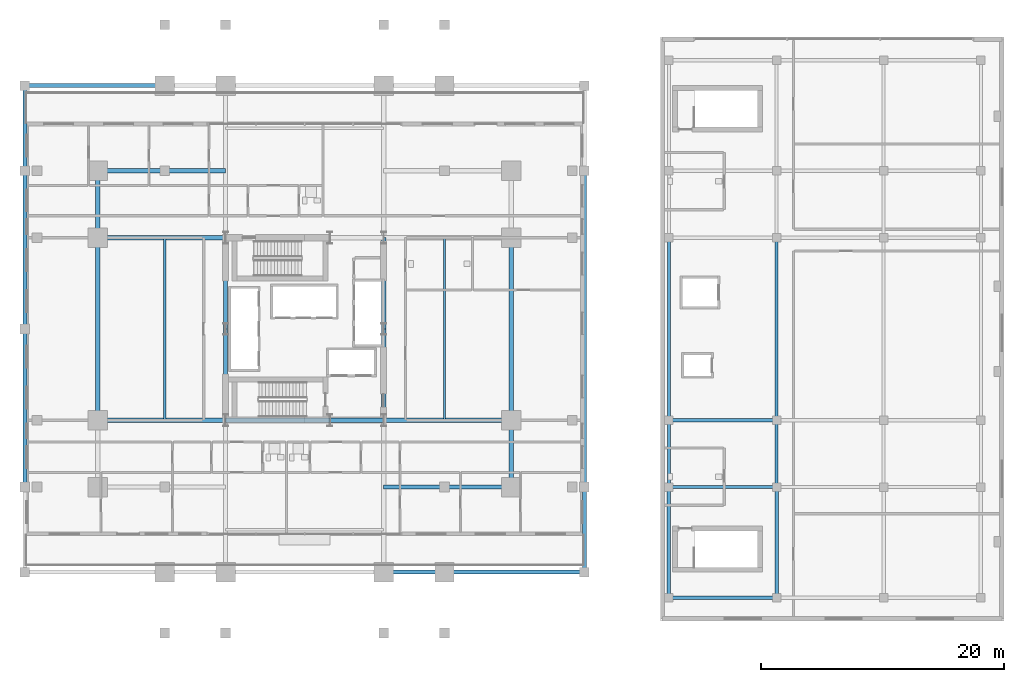
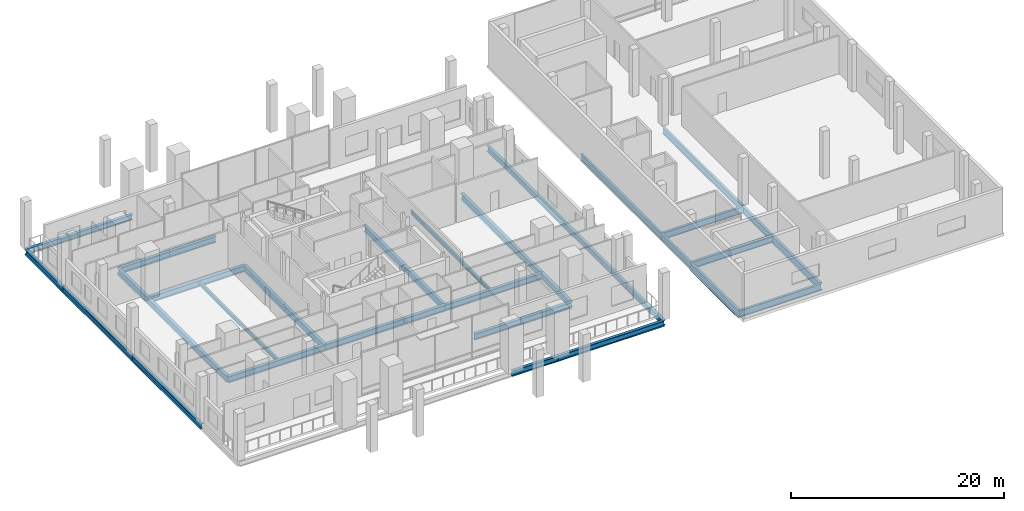
# One storey, part 7 of 25: 36 beams.
"""IFC4 building model written with IfcOpenShell, lengths in metres."""

from ifc_helpers import new_model, si_unit, direction, frame, origin, origin_2d, place, context, subcontext, project, spatial, i_section, extrude, material, material_profile, profile_set, type_object, element, save


model = new_model("IFC4")

# Units and contexts
model_context = context("Model", 3, precision=1e-05, world=origin(), true_north=direction((0.0, 1.0)))
body_context = subcontext(model_context, "Body", "Model", "MODEL_VIEW")
ifc_project = project(units=[si_unit("LENGTHUNIT", "METRE"), si_unit("AREAUNIT", "SQUARE_METRE"), si_unit("VOLUMEUNIT", "CUBIC_METRE"), si_unit("PLANEANGLEUNIT", "RADIAN"), si_unit("MASSUNIT", "GRAM", prefix="KILO")], contexts=[model_context])

# Site, building, storey
site_placement = place(None, origin())
site = spatial("IfcSite", under=ifc_project, at=site_placement, CompositionType="ELEMENT")
building_placement = place(site_placement, origin())
building = spatial("IfcBuilding", under=site, at=building_placement, Name="Barlavira Tower and Art Museum", CompositionType="ELEMENT")
storey_placement = place(building_placement, frame((0.0, 0.0, 22.199951171875)))
storey = spatial("IfcBuildingStorey", under=building, at=storey_placement, Name="L04", CompositionType="ELEMENT", Elevation=22.199951171875)

# Beams
ifc_material = material(Name="Steel S355", Category="steel")
ifc_material_profile_1 = material_profile(ifc_material, i_section(OverallWidth=0.2939453125, OverallDepth=0.85107421875, WebThickness=0.017333984375, FlangeThickness=0.0283203125, at=origin_2d()), Name="W840x251.0")
ifc_profile_set_1 = profile_set([ifc_material_profile_1], Name="Steel S355")
beam_type_1 = type_object("IfcBeamType", Name="Museum Auditorium Heavy Girder W840x251 Steel S355", PredefinedType="BEAM", material=ifc_profile_set_1)
for number, where, z_axis, x_axis, name in (
    (1, (29.949951171875, -22.10009765625, -0.745361328125), (0.0, 1.0, 0.0), (-1.0, 0.0, 0.0), "L04 Museum Girder Y 1-1"),
    (2, (38.800048828125, -22.10009765625, -0.745361328125), (0.0, 1.0, 0.0), (-1.0, 0.0, 0.0), "L04 Museum Girder Y 2-1"),
):
    element("IfcBeam", number, at=place(storey_placement, frame(where, z_axis=z_axis, x_axis=x_axis)), inside=storey, type_object=beam_type_1, Name=name, PredefinedType="BEAM", context=body_context, shape_type="SweptSolid", body=[
        extrude(i_section(OverallWidth=0.2939453125, OverallDepth=0.85107421875, WebThickness=0.017333984375, FlangeThickness=0.0283203125, at=origin_2d()), origin(), (0.0, 0.0, 1.0), 9.10009765625),
    ])
ifc_material_profile_2 = material_profile(ifc_material, i_section(OverallWidth=0.26904296875, OverallDepth=0.76806640625, WebThickness=0.016845703125, FlangeThickness=0.026611328125, at=origin_2d()), Name="W760x220.0")
ifc_profile_set_2 = profile_set([ifc_material_profile_2], Name="Steel S355")
beam_type_2 = type_object("IfcBeamType", Name="Museum Long-Span Gallery Girder W760x220 Steel S355", PredefinedType="BEAM", material=ifc_profile_set_2)
beam_1_placement = place(storey_placement, frame((29.949951171875, -13.0, -0.703857421875), z_axis=(0.0, 1.0, 0.0), x_axis=(-1.0, 0.0, 0.0)))
element("IfcBeam", 3, at=beam_1_placement, inside=storey, type_object=beam_type_2, Name="L04 Museum Girder Y 1-2", PredefinedType="BEAM", context=body_context, shape_type="SweptSolid", body=[
    extrude(i_section(OverallWidth=0.26904296875, OverallDepth=0.76806640625, WebThickness=0.016845703125, FlangeThickness=0.026611328125, at=origin_2d()), origin(), (0.0, 0.0, 1.0), 5.5),
])
beam_2_placement = place(storey_placement, frame((29.949951171875, -7.5, -0.703857421875), z_axis=(0.0, 1.0, 0.0), x_axis=(-1.0, 0.0, 0.0)))
element("IfcBeam", 4, at=beam_2_placement, inside=storey, type_object=beam_type_2, Name="L04 Museum Girder Y 1-3", PredefinedType="BEAM", context=body_context, shape_type="SweptSolid", body=[
    extrude(i_section(OverallWidth=0.26904296875, OverallDepth=0.76806640625, WebThickness=0.016845703125, FlangeThickness=0.026611328125, at=origin_2d()), origin(), (0.0, 0.0, 1.0), 15.0),
])
beam_3_placement = place(storey_placement, frame((38.800048828125, -13.0, -0.703857421875), z_axis=(0.0, 1.0, 0.0), x_axis=(-1.0, 0.0, 0.0)))
element("IfcBeam", 5, at=beam_3_placement, inside=storey, type_object=beam_type_2, Name="L04 Museum Girder Y 2-2", PredefinedType="BEAM", context=body_context, shape_type="SweptSolid", body=[
    extrude(i_section(OverallWidth=0.26904296875, OverallDepth=0.76806640625, WebThickness=0.016845703125, FlangeThickness=0.026611328125, at=origin_2d()), origin(), (0.0, 0.0, 1.0), 5.5),
])
beam_4_placement = place(storey_placement, frame((38.800048828125, -7.5, -0.703857421875), z_axis=(0.0, 1.0, 0.0), x_axis=(-1.0, 0.0, 0.0)))
element("IfcBeam", 6, at=beam_4_placement, inside=storey, type_object=beam_type_2, Name="L04 Museum Girder Y 2-3", PredefinedType="BEAM", context=body_context, shape_type="SweptSolid", body=[
    extrude(i_section(OverallWidth=0.26904296875, OverallDepth=0.76806640625, WebThickness=0.016845703125, FlangeThickness=0.026611328125, at=origin_2d()), origin(), (0.0, 0.0, 1.0), 15.0),
])
for number, where, z_axis, x_axis, name in (
    (7, (29.949951171875, -22.10009765625, -0.703857421875), (1.0, 0.0, 0.0), (0.0, 1.0, 0.0), "L04 Museum Girder X 1-1"),
    (8, (29.949951171875, -13.0, -0.703857421875), (1.0, 0.0, 0.0), (0.0, 1.0, 0.0), "L04 Museum Girder X 2-1"),
    (9, (29.949951171875, -7.5, -0.703857421875), (1.0, 0.0, 0.0), (0.0, 1.0, 0.0), "L04 Museum Girder X 3-1"),
):
    element("IfcBeam", number, at=place(storey_placement, frame(where, z_axis=z_axis, x_axis=x_axis)), inside=storey, type_object=beam_type_2, Name=name, PredefinedType="BEAM", context=body_context, shape_type="SweptSolid", body=[
        extrude(i_section(OverallWidth=0.26904296875, OverallDepth=0.76806640625, WebThickness=0.016845703125, FlangeThickness=0.026611328125, at=origin_2d()), origin(), (0.0, 0.0, 1.0), 8.85009765625),
    ])
ifc_material_profile_3 = material_profile(ifc_material, i_section(OverallWidth=0.327880859375, OverallDepth=0.62890625, WebThickness=0.013916015625, FlangeThickness=0.021484375, at=origin_2d()), Name="W610x174.0")
ifc_profile_set_3 = profile_set([ifc_material_profile_3], Name="Steel S355")
beam_type_3 = type_object("IfcBeamType", Name="Perimeter Spandrel Edge Beam W610x174 Steel S355", PredefinedType="SPANDREL", material=ifc_profile_set_3)
beam_5_placement = place(storey_placement, frame((6.5, -20.0, -0.594482421875), z_axis=(1.0, 0.0, 0.0), x_axis=(0.0, 1.0, 0.0)))
element("IfcBeam", 10, at=beam_5_placement, inside=storey, type_object=beam_type_3, Name="L04 Podium Spandrel PS4", PredefinedType="SPANDREL", context=body_context, shape_type="SweptSolid", body=[
    extrude(i_section(OverallWidth=0.327880859375, OverallDepth=0.62890625, WebThickness=0.013916015625, FlangeThickness=0.021484375, at=origin_2d()), origin(), (0.0, 0.0, 1.0), 5.0),
])
for number, where, z_axis, x_axis, name in (
    (11, (11.5, -20.0, -0.594482421875), (1.0, 0.0, 0.0), (0.0, 1.0, 0.0), "L04 Podium Spandrel PS5"),
    (12, (-23.0, 20.0, -0.594482421875), (1.0, 0.0, 0.0), (0.0, 1.0, 0.0), "L04 Podium Spandrel PN1"),
):
    element("IfcBeam", number, at=place(storey_placement, frame(where, z_axis=z_axis, x_axis=x_axis)), inside=storey, type_object=beam_type_3, Name=name, PredefinedType="SPANDREL", context=body_context, shape_type="SweptSolid", body=[
        extrude(i_section(OverallWidth=0.327880859375, OverallDepth=0.62890625, WebThickness=0.013916015625, FlangeThickness=0.021484375, at=origin_2d()), origin(), (0.0, 0.0, 1.0), 11.5),
    ])
for number, where, z_axis, x_axis, name in (
    (13, (-23.0, -13.0, -0.594482421875), (0.0, 1.0, 0.0), (-1.0, 0.0, 0.0), "L04 Podium Spandrel PW2"),
    (14, (-23.0, 0.0, -0.594482421875), (0.0, 1.0, 0.0), (-1.0, 0.0, 0.0), "L04 Podium Spandrel PW3"),
):
    element("IfcBeam", number, at=place(storey_placement, frame(where, z_axis=z_axis, x_axis=x_axis)), inside=storey, type_object=beam_type_3, Name=name, PredefinedType="SPANDREL", context=body_context, shape_type="SweptSolid", body=[
        extrude(i_section(OverallWidth=0.327880859375, OverallDepth=0.62890625, WebThickness=0.013916015625, FlangeThickness=0.021484375, at=origin_2d()), origin(), (0.0, 0.0, 1.0), 13.0),
    ])
for number, where, z_axis, x_axis, name in (
    (15, (-23.0, 13.0, -0.594482421875), (0.0, 1.0, 0.0), (-1.0, 0.0, 0.0), "L04 Podium Spandrel PW4"),
    (16, (23.0, -20.0, -0.594482421875), (0.0, 1.0, 0.0), (-1.0, 0.0, 0.0), "L04 Podium Spandrel PE1"),
):
    element("IfcBeam", number, at=place(storey_placement, frame(where, z_axis=z_axis, x_axis=x_axis)), inside=storey, type_object=beam_type_3, Name=name, PredefinedType="SPANDREL", context=body_context, shape_type="SweptSolid", body=[
        extrude(i_section(OverallWidth=0.327880859375, OverallDepth=0.62890625, WebThickness=0.013916015625, FlangeThickness=0.021484375, at=origin_2d()), origin(), (0.0, 0.0, 1.0), 7.0),
    ])
beam_6_placement = place(storey_placement, frame((23.0, -13.0, -0.594482421875), z_axis=(0.0, 1.0, 0.0), x_axis=(-1.0, 0.0, 0.0)))
element("IfcBeam", 17, at=beam_6_placement, inside=storey, type_object=beam_type_3, Name="L04 Podium Spandrel PE2", PredefinedType="SPANDREL", context=body_context, shape_type="SweptSolid", body=[
    extrude(i_section(OverallWidth=0.327880859375, OverallDepth=0.62890625, WebThickness=0.013916015625, FlangeThickness=0.021484375, at=origin_2d()), origin(), (0.0, 0.0, 1.0), 26.0),
])
ifc_material_profile_4 = material_profile(ifc_material, i_section(OverallWidth=0.19189453125, OverallDepth=0.462890625, WebThickness=0.010498046875, FlangeThickness=0.017578125, at=origin_2d()), Name="W460x89.0")
ifc_profile_set_4 = profile_set([ifc_material_profile_4], Name="Steel S355")
beam_type_4 = type_object("IfcBeamType", Name="Podium Floor Joist W460x89 Steel S355", PredefinedType="JOIST", material=ifc_profile_set_4)
for number, where, z_axis, x_axis, name in (
    (18, (-11.5, -7.5, -0.511474609375), (0.0, 1.0, 0.0), (-1.0, 0.0, 0.0), "L04 Joist W1"),
    (19, (11.5, -7.5, -0.511474609375), (0.0, 1.0, 0.0), (-1.0, 0.0, 0.0), "L04 Joist W2"),
):
    element("IfcBeam", number, at=place(storey_placement, frame(where, z_axis=z_axis, x_axis=x_axis)), inside=storey, type_object=beam_type_4, Name=name, PredefinedType="JOIST", context=body_context, shape_type="SweptSolid", body=[
        extrude(i_section(OverallWidth=0.19189453125, OverallDepth=0.462890625, WebThickness=0.010498046875, FlangeThickness=0.017578125, at=origin_2d()), origin(), (0.0, 0.0, 1.0), 15.0),
    ])
ifc_material_profile_5 = material_profile(ifc_material, i_section(OverallWidth=0.35595703125, OverallDepth=0.695068359375, WebThickness=0.014892578125, FlangeThickness=0.023681640625, at=origin_2d()), Name="W690x192.0")
ifc_profile_set_5 = profile_set([ifc_material_profile_5], Name="Steel S355")
beam_type_5 = type_object("IfcBeamType", Name="Podium Primary Girder W690x192 Steel S355", PredefinedType="BEAM", material=ifc_profile_set_5)
beam_7_placement = place(storey_placement, frame((-6.5, -7.5, -0.62744140625), z_axis=(1.0, 0.0, 0.0), x_axis=(0.0, 1.0, 0.0)))
element("IfcBeam", 20, at=beam_7_placement, inside=storey, type_object=beam_type_5, Name="L04 Girder C-S1", PredefinedType="BEAM", context=body_context, shape_type="SweptSolid", body=[
    extrude(i_section(OverallWidth=0.35595703125, OverallDepth=0.695068359375, WebThickness=0.014892578125, FlangeThickness=0.023681640625, at=origin_2d()), origin(), (0.0, 0.0, 1.0), 8.580078125),
])
beam_8_placement = place(storey_placement, frame((2.080078125, -7.5, -0.62744140625), z_axis=(1.0, 0.0, 0.0), x_axis=(0.0, 1.0, 0.0)))
element("IfcBeam", 21, at=beam_8_placement, inside=storey, type_object=beam_type_5, Name="L04 Girder C-S2", PredefinedType="BEAM", context=body_context, shape_type="SweptSolid", body=[
    extrude(i_section(OverallWidth=0.35595703125, OverallDepth=0.695068359375, WebThickness=0.014892578125, FlangeThickness=0.023681640625, at=origin_2d()), origin(), (0.0, 0.0, 1.0), 4.419921875),
])
for number, where, z_axis, x_axis, name in (
    (22, (-6.5, -7.5, -0.62744140625), (0.0, 1.0, 0.0), (-1.0, 0.0, 0.0), "L04 Girder C-W1"),
    (23, (-6.5, 0.0, -0.62744140625), (0.0, 1.0, 0.0), (-1.0, 0.0, 0.0), "L04 Girder C-W2"),
    (24, (6.5, -7.5, -0.62744140625), (0.0, 1.0, 0.0), (-1.0, 0.0, 0.0), "L04 Girder C-E1"),
    (25, (6.5, 0.0, -0.62744140625), (0.0, 1.0, 0.0), (-1.0, 0.0, 0.0), "L04 Girder C-E2"),
):
    element("IfcBeam", number, at=place(storey_placement, frame(where, z_axis=z_axis, x_axis=x_axis)), inside=storey, type_object=beam_type_5, Name=name, PredefinedType="BEAM", context=body_context, shape_type="SweptSolid", body=[
        extrude(i_section(OverallWidth=0.35595703125, OverallDepth=0.695068359375, WebThickness=0.014892578125, FlangeThickness=0.023681640625, at=origin_2d()), origin(), (0.0, 0.0, 1.0), 7.5),
    ])
beam_9_placement = place(storey_placement, frame((-17.0, -7.5, -0.62744140625), z_axis=(0.0, 1.0, 0.0), x_axis=(-1.0, 0.0, 0.0)))
element("IfcBeam", 26, at=beam_9_placement, inside=storey, type_object=beam_type_5, Name="L04 Girder M-W2", PredefinedType="BEAM", context=body_context, shape_type="SweptSolid", body=[
    extrude(i_section(OverallWidth=0.35595703125, OverallDepth=0.695068359375, WebThickness=0.014892578125, FlangeThickness=0.023681640625, at=origin_2d()), origin(), (0.0, 0.0, 1.0), 15.0),
])
for number, where, z_axis, x_axis, name in (
    (27, (-17.0, 7.5, -0.62744140625), (0.0, 1.0, 0.0), (-1.0, 0.0, 0.0), "L04 Girder M-W3"),
    (28, (17.0, -13.0, -0.62744140625), (0.0, 1.0, 0.0), (-1.0, 0.0, 0.0), "L04 Girder M-E1"),
):
    element("IfcBeam", number, at=place(storey_placement, frame(where, z_axis=z_axis, x_axis=x_axis)), inside=storey, type_object=beam_type_5, Name=name, PredefinedType="BEAM", context=body_context, shape_type="SweptSolid", body=[
        extrude(i_section(OverallWidth=0.35595703125, OverallDepth=0.695068359375, WebThickness=0.014892578125, FlangeThickness=0.023681640625, at=origin_2d()), origin(), (0.0, 0.0, 1.0), 5.5),
    ])
beam_10_placement = place(storey_placement, frame((17.0, -7.5, -0.62744140625), z_axis=(0.0, 1.0, 0.0), x_axis=(-1.0, 0.0, 0.0)))
element("IfcBeam", 29, at=beam_10_placement, inside=storey, type_object=beam_type_5, Name="L04 Girder M-E2", PredefinedType="BEAM", context=body_context, shape_type="SweptSolid", body=[
    extrude(i_section(OverallWidth=0.35595703125, OverallDepth=0.695068359375, WebThickness=0.014892578125, FlangeThickness=0.023681640625, at=origin_2d()), origin(), (0.0, 0.0, 1.0), 15.0),
])
for number, where, z_axis, x_axis, name in (
    (30, (-17.0, -7.5, -0.62744140625), (1.0, 0.0, 0.0), (0.0, 1.0, 0.0), "L04 Girder R-W1"),
    (31, (-17.0, 7.5, -0.62744140625), (1.0, 0.0, 0.0), (0.0, 1.0, 0.0), "L04 Girder R-W2"),
    (32, (6.5, -7.5, -0.62744140625), (1.0, 0.0, 0.0), (0.0, 1.0, 0.0), "L04 Girder R-E1"),
):
    element("IfcBeam", number, at=place(storey_placement, frame(where, z_axis=z_axis, x_axis=x_axis)), inside=storey, type_object=beam_type_5, Name=name, PredefinedType="BEAM", context=body_context, shape_type="SweptSolid", body=[
        extrude(i_section(OverallWidth=0.35595703125, OverallDepth=0.695068359375, WebThickness=0.014892578125, FlangeThickness=0.023681640625, at=origin_2d()), origin(), (0.0, 0.0, 1.0), 10.5),
    ])
beam_11_placement = place(storey_placement, frame((6.5, -13.0, -0.62744140625), z_axis=(1.0, 0.0, 0.0), x_axis=(0.0, 1.0, 0.0)))
element("IfcBeam", 33, at=beam_11_placement, inside=storey, type_object=beam_type_5, Name="L04 Girder I-S3", PredefinedType="BEAM", context=body_context, shape_type="SweptSolid", body=[
    extrude(i_section(OverallWidth=0.35595703125, OverallDepth=0.695068359375, WebThickness=0.014892578125, FlangeThickness=0.023681640625, at=origin_2d()), origin(), (0.0, 0.0, 1.0), 5.0),
])
for number, where, z_axis, x_axis, name in (
    (34, (11.5, -13.0, -0.62744140625), (1.0, 0.0, 0.0), (0.0, 1.0, 0.0), "L04 Girder I-S4"),
    (35, (-17.0, 13.0, -0.62744140625), (1.0, 0.0, 0.0), (0.0, 1.0, 0.0), "L04 Girder I-N1"),
):
    element("IfcBeam", number, at=place(storey_placement, frame(where, z_axis=z_axis, x_axis=x_axis)), inside=storey, type_object=beam_type_5, Name=name, PredefinedType="BEAM", context=body_context, shape_type="SweptSolid", body=[
        extrude(i_section(OverallWidth=0.35595703125, OverallDepth=0.695068359375, WebThickness=0.014892578125, FlangeThickness=0.023681640625, at=origin_2d()), origin(), (0.0, 0.0, 1.0), 5.5),
    ])
beam_12_placement = place(storey_placement, frame((-11.5, 13.0, -0.62744140625), z_axis=(1.0, 0.0, 0.0), x_axis=(0.0, 1.0, 0.0)))
element("IfcBeam", 36, at=beam_12_placement, inside=storey, type_object=beam_type_5, Name="L04 Girder I-N2", PredefinedType="BEAM", context=body_context, shape_type="SweptSolid", body=[
    extrude(i_section(OverallWidth=0.35595703125, OverallDepth=0.695068359375, WebThickness=0.014892578125, FlangeThickness=0.023681640625, at=origin_2d()), origin(), (0.0, 0.0, 1.0), 5.0),
])

save(model, "model.ifc")
